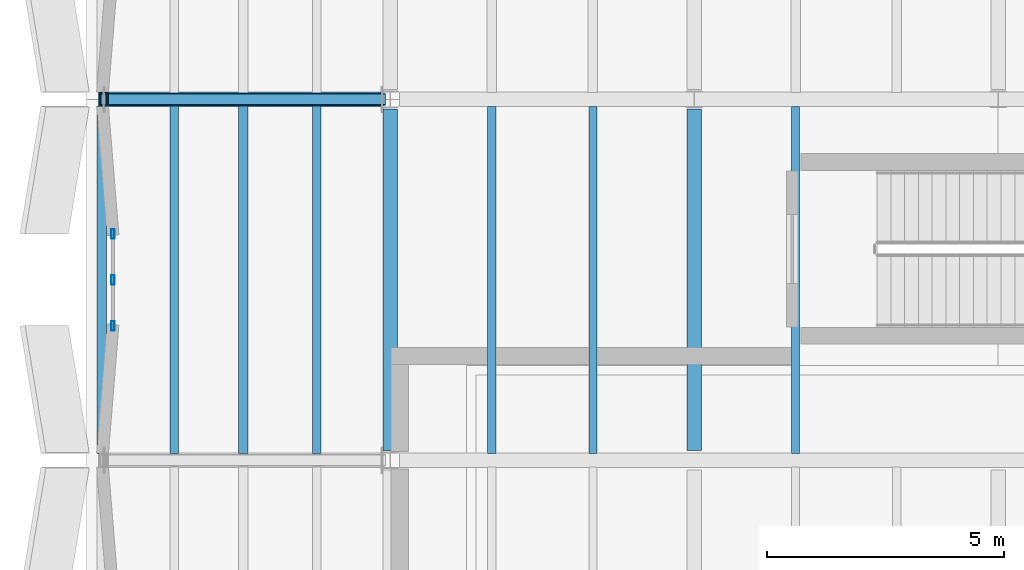
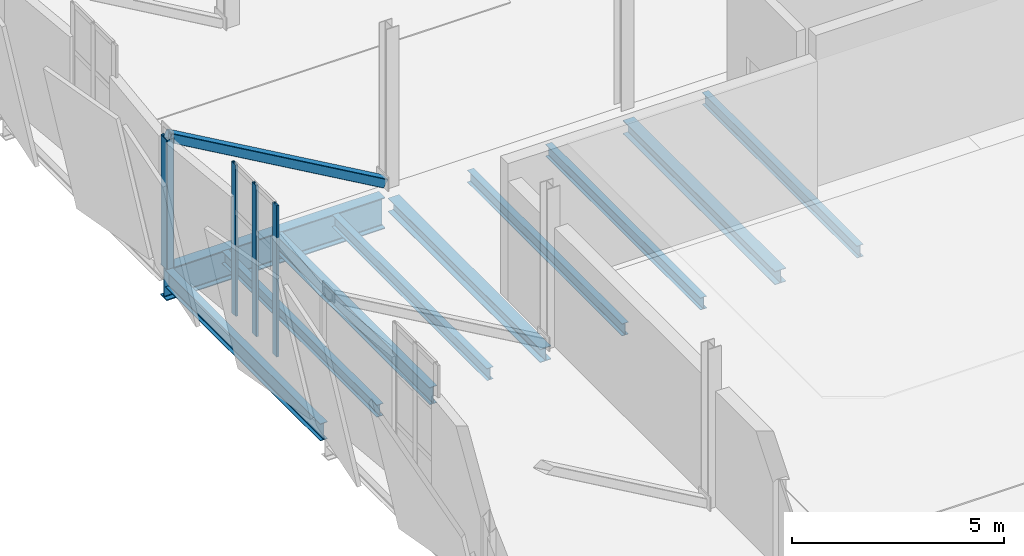
# One storey, part 34 of 172: 10 beams, 5 members, 1 element without a shape of its own.
"""IFC4 building model written with IfcOpenShell, lengths in metres."""

from ifc_helpers import new_model, si_unit, direction, frame, origin, origin_2d, place, context, subcontext, project, spatial, hollow_rectangle, i_section, extrude, material, material_profile, profile_set, type_object, element, aggregate, save


model = new_model("IFC4")

# Units and contexts
model_context = context("Model", 3, precision=1e-05, world=origin(), true_north=direction((0.0, 1.0)))
body_context = subcontext(model_context, "Body", "Model", "MODEL_VIEW")
ifc_project = project(units=[si_unit("LENGTHUNIT", "METRE"), si_unit("AREAUNIT", "SQUARE_METRE"), si_unit("VOLUMEUNIT", "CUBIC_METRE"), si_unit("PLANEANGLEUNIT", "RADIAN"), si_unit("MASSUNIT", "GRAM", prefix="KILO")], contexts=[model_context])

# Site, building, storey
site_placement = place(None, origin())
site = spatial("IfcSite", under=ifc_project, at=site_placement, CompositionType="ELEMENT")
building_placement = place(site_placement, origin())
building = spatial("IfcBuilding", under=site, at=building_placement, Name="Shengluoqiao Park Theatre", CompositionType="ELEMENT")
storey_placement = place(building_placement, frame((0.0, 0.0, 5.39990234375)))
storey = spatial("IfcBuildingStorey", under=building, at=storey_placement, Name="L01", CompositionType="ELEMENT", Elevation=5.39990234375)

# Curtain wall, members
ifc_material_1 = material(Name="Aluminium 6063-T6", Category="aluminium")
curtain_wall_type = type_object("IfcCurtainWallType", Name="ENV-CW-STUDIO", PredefinedType="NOTDEFINED", material=ifc_material_1)
curtain_wall_placement = place(storey_placement, origin())
curtain_wall = element("IfcCurtainWall", 1, at=curtain_wall_placement, inside=storey, type_object=curtain_wall_type, Name="L01 Curtain Wall CW-L01-SLIT-0234", PredefinedType="NOTDEFINED")
ifc_material_profile_1 = material_profile(ifc_material_1, hollow_rectangle(XDim=0.06494140625, YDim=0.199951171875, WallThickness=0.0048828125, InnerFilletRadius=0.0048828125, OuterFilletRadius=0.010009765625, at=origin_2d()), Name="ALU MULLION 200x65x5")
ifc_profile_set_1 = profile_set([ifc_material_profile_1], Name="Aluminium 6063-T6")
member_type_1 = type_object("IfcMemberType", Name="ENV-MUL-200", PredefinedType="MULLION", material=ifc_profile_set_1)
member_1_placement = place(storey_placement, frame((0.56005859375, 48.4326171875, 0.0), z_axis=(0.0, 0.0, 1.0), x_axis=(-1.0, 0.0, 0.0)))
member_1 = element("IfcMember", 2, at=member_1_placement, type_object=member_type_1, Name="CW-02 mullion 1", PredefinedType="MULLION", context=body_context, shape_type="SweptSolid", body=[
    extrude(hollow_rectangle(XDim=0.06494140625, YDim=0.199951171875, WallThickness=0.0048828125, InnerFilletRadius=0.0048828125, OuterFilletRadius=0.010009765625, at=origin_2d()), origin(), (0.0, 0.0, 1.0), 4.360107421875),
])
member_2_placement = place(storey_placement, frame((0.56005859375, 49.39990234375, 0.0), z_axis=(0.0, 0.0, 1.0), x_axis=(-1.0, 0.0, 0.0)))
member_2 = element("IfcMember", 3, at=member_2_placement, type_object=member_type_1, Name="CW-02 mullion 2", PredefinedType="MULLION", context=body_context, shape_type="SweptSolid", body=[
    extrude(hollow_rectangle(XDim=0.06494140625, YDim=0.199951171875, WallThickness=0.0048828125, InnerFilletRadius=0.0048828125, OuterFilletRadius=0.010009765625, at=origin_2d()), origin(), (0.0, 0.0, 1.0), 4.360107421875),
])
member_3_placement = place(storey_placement, frame((0.56005859375, 50.367431640625, 0.0), z_axis=(0.0, 0.0, 1.0), x_axis=(-1.0, 0.0, 0.0)))
member_3 = element("IfcMember", 4, at=member_3_placement, type_object=member_type_1, Name="CW-02 mullion 3", PredefinedType="MULLION", context=body_context, shape_type="SweptSolid", body=[
    extrude(hollow_rectangle(XDim=0.06494140625, YDim=0.199951171875, WallThickness=0.0048828125, InnerFilletRadius=0.0048828125, OuterFilletRadius=0.010009765625, at=origin_2d()), origin(), (0.0, 0.0, 1.0), 4.360107421875),
])
aggregate(curtain_wall, [member_1, member_2, member_3])

# Beams
ifc_material_2 = material(Name="Steel Q355", Category="steel")
ifc_material_profile_2 = material_profile(ifc_material_2, i_section(OverallWidth=0.300048828125, OverallDepth=0.389892578125, WebThickness=0.010009765625, FlangeThickness=0.01611328125, FilletRadius=0.01806640625, at=origin_2d()), Name="HM 390x300x10x16")
ifc_profile_set_2 = profile_set([ifc_material_profile_2], Name="Steel Q355")
beam_type_1 = type_object("IfcBeamType", Name="STR-BM-G-HM390", PredefinedType="BEAM", material=ifc_profile_set_2)
for number, where, z_axis, x_axis, name in (
    (5, (6.39990234375, 45.80810546875, -0.434814453125), (0.0, 1.0, 0.0), (-1.0, 0.0, 0.0), "L01 Transverse Girder 00375"),
    (6, (12.800048828125, 45.80810546875, -0.434814453125), (0.0, 1.0, 0.0), (-1.0, 0.0, 0.0), "L01 Transverse Girder 00378"),
):
    element("IfcBeam", number, at=place(storey_placement, frame(where, z_axis=z_axis, x_axis=x_axis)), inside=storey, type_object=beam_type_1, Name=name, PredefinedType="BEAM", context=body_context, shape_type="SweptSolid", body=[
        extrude(i_section(OverallWidth=0.300048828125, OverallDepth=0.389892578125, WebThickness=0.010009765625, FlangeThickness=0.01611328125, FilletRadius=0.01806640625, at=origin_2d()), origin(), (0.0, 0.0, 1.0), 7.183837890625),
    ])
ifc_material_3 = material(Name="Steel Q390", Category="steel")
ifc_material_profile_3 = material_profile(ifc_material_3, i_section(OverallWidth=0.300048828125, OverallDepth=0.89990234375, WebThickness=0.01611328125, FlangeThickness=0.028076171875, FilletRadius=0.028076171875, at=origin_2d()), Name="HN 900x300x16x28")
ifc_profile_set_3 = profile_set([ifc_material_profile_3], Name="Steel Q390")
beam_type_2 = type_object("IfcBeamType", Name="STR-BM-G-HN900", PredefinedType="BEAM", material=ifc_profile_set_3)
beam_placement = place(storey_placement, frame((0.260009765625, 53.199951171875, -0.68994140625), z_axis=(1.0, 0.0, 0.0), x_axis=(0.0, 1.0, 0.0)))
element("IfcBeam", 7, at=beam_placement, inside=storey, type_object=beam_type_2, Name="CT-V3-4 L01 Cantilever Overhang Chord", PredefinedType="BEAM", context=body_context, shape_type="SweptSolid", body=[
    extrude(i_section(OverallWidth=0.300048828125, OverallDepth=0.89990234375, WebThickness=0.01611328125, FlangeThickness=0.028076171875, FilletRadius=0.028076171875, at=origin_2d()), origin(), (0.0, 0.0, 1.0), 5.948486328125),
])
ifc_material_profile_4 = material_profile(ifc_material_2, i_section(OverallWidth=0.175048828125, OverallDepth=0.35009765625, WebThickness=0.007080078125, FlangeThickness=0.010986328125, FilletRadius=0.013916015625, at=origin_2d()), Name="HN 350x175x7x11")
ifc_profile_set_4 = profile_set([ifc_material_profile_4], Name="Steel Q355")
beam_type_3 = type_object("IfcBeamType", Name="STR-BM-J-HN350", PredefinedType="JOIST", material=ifc_profile_set_4)
for number, where, z_axis, x_axis, name in (
    (8, (1.85009765625, 45.743896484375, -0.414794921875), (0.0, 1.0, 0.0), (-1.0, 0.0, 0.0), "V3 L01 Cantilever Joist 00006"),
    (9, (4.85009765625, 45.743896484375, -0.414794921875), (0.0, 1.0, 0.0), (-1.0, 0.0, 0.0), "V3 L01 Cantilever Joist 00009"),
):
    element("IfcBeam", number, at=place(storey_placement, frame(where, z_axis=z_axis, x_axis=x_axis)), inside=storey, type_object=beam_type_3, Name=name, PredefinedType="JOIST", context=body_context, shape_type="SweptSolid", body=[
        extrude(i_section(OverallWidth=0.175048828125, OverallDepth=0.35009765625, WebThickness=0.007080078125, FlangeThickness=0.010986328125, FilletRadius=0.013916015625, at=origin_2d()), origin(), (0.0, 0.0, 1.0), 7.31201171875),
    ])
for number, where, z_axis, x_axis, name in (
    (10, (8.533203125, 45.7451171875, -0.414794921875), (0.0, 1.0, 0.0), (-1.0, 0.0, 0.0), "L01 Composite Joist 00385"),
    (11, (10.666748046875, 45.7451171875, -0.414794921875), (0.0, 1.0, 0.0), (-1.0, 0.0, 0.0), "L01 Composite Joist 00386"),
    (12, (14.933349609375, 45.7451171875, -0.414794921875), (0.0, 1.0, 0.0), (-1.0, 0.0, 0.0), "L01 Composite Joist 00391"),
):
    element("IfcBeam", number, at=place(storey_placement, frame(where, z_axis=z_axis, x_axis=x_axis)), inside=storey, type_object=beam_type_3, Name=name, PredefinedType="JOIST", context=body_context, shape_type="SweptSolid", body=[
        extrude(i_section(OverallWidth=0.175048828125, OverallDepth=0.35009765625, WebThickness=0.007080078125, FlangeThickness=0.010986328125, FilletRadius=0.013916015625, at=origin_2d()), origin(), (0.0, 0.0, 1.0), 7.309814453125),
    ])
ifc_material_profile_5 = material_profile(ifc_material_2, i_section(OverallWidth=0.198974609375, OverallDepth=0.49609375, WebThickness=0.009033203125, FlangeThickness=0.013916015625, FilletRadius=0.01806640625, at=origin_2d()), Name="HN 496x199x9x14")
ifc_profile_set_5 = profile_set([ifc_material_profile_5], Name="Steel Q355")
beam_type_4 = type_object("IfcBeamType", Name="STR-BM-SP-HN496", PredefinedType="SPANDREL", material=ifc_profile_set_5)
for number, where, z_axis, x_axis, name in (
    (13, (0.320068359375, 45.743896484375, -0.48779296875), (0.0, 1.0, 0.0), (-1.0, 0.0, 0.0), "V3 L01 Cantilever Spandrel 00002"),
    (14, (3.300048828125, 45.743896484375, -0.48779296875), (0.0, 1.0, 0.0), (-1.0, 0.0, 0.0), "V3 L01 Cantilever Spandrel 00004"),
):
    element("IfcBeam", number, at=place(storey_placement, frame(where, z_axis=z_axis, x_axis=x_axis)), inside=storey, type_object=beam_type_4, Name=name, PredefinedType="SPANDREL", context=body_context, shape_type="SweptSolid", body=[
        extrude(i_section(OverallWidth=0.198974609375, OverallDepth=0.49609375, WebThickness=0.009033203125, FlangeThickness=0.013916015625, FilletRadius=0.01806640625, at=origin_2d()), origin(), (0.0, 0.0, 1.0), 7.31201171875),
    ])

# Members
ifc_material_profile_6 = material_profile(ifc_material_2, hollow_rectangle(XDim=0.25, YDim=0.25, WallThickness=0.011962890625, InnerFilletRadius=0.011962890625, OuterFilletRadius=0.02392578125, at=origin_2d()), Name="RHS 250x250x12")
ifc_profile_set_6 = profile_set([ifc_material_profile_6], Name="Steel Q355")
member_type_2 = type_object("IfcMemberType", Name="STR-MEM-BRR-250", PredefinedType="BRACE", material=ifc_profile_set_6)
member_4_placement = place(storey_placement, frame((6.239990234375, 53.199951171875, 0.1201171875), z_axis=(-0.866973184709, 0.0, 0.49835479028), x_axis=(0.0, -1.0, 0.0)))
element("IfcMember", 15, at=member_4_placement, inside=storey, type_object=member_type_2, Name="CT-V3-4 L01 Cantilever Raking Strut", PredefinedType="BRACE", context=body_context, shape_type="SweptSolid", body=[
    extrude(hollow_rectangle(XDim=0.25, YDim=0.25, WallThickness=0.011962890625, InnerFilletRadius=0.011962890625, OuterFilletRadius=0.02392578125, at=origin_2d()), origin(), (0.0, 0.0, 1.0), 6.781982421875),
])
ifc_material_profile_7 = material_profile(ifc_material_3, hollow_rectangle(XDim=0.199951171875, YDim=0.300048828125, WallThickness=0.011962890625, InnerFilletRadius=0.011962890625, OuterFilletRadius=0.02392578125, at=origin_2d()), Name="RHS 300x200x12")
ifc_profile_set_7 = profile_set([ifc_material_profile_7], Name="Steel Q390")
member_type_3 = type_object("IfcMemberType", Name="STR-MEM-PTR-302", PredefinedType="POST", material=ifc_profile_set_7)
member_5_placement = place(storey_placement, frame((0.360107421875, 53.199951171875, -0.260009765625), z_axis=(0.0, 0.0, 1.0), x_axis=(1.0, 0.0, 0.0)))
element("IfcMember", 16, at=member_5_placement, inside=storey, type_object=member_type_3, Name="CT-V3-4 L01 Cantilever Tip Post", PredefinedType="POST", context=body_context, shape_type="SweptSolid", body=[
    extrude(hollow_rectangle(XDim=0.199951171875, YDim=0.300048828125, WallThickness=0.011962890625, InnerFilletRadius=0.011962890625, OuterFilletRadius=0.02392578125, at=origin_2d()), origin(), (0.0, 0.0, 1.0), 3.739990234375),
])

save(model, "model.ifc")
